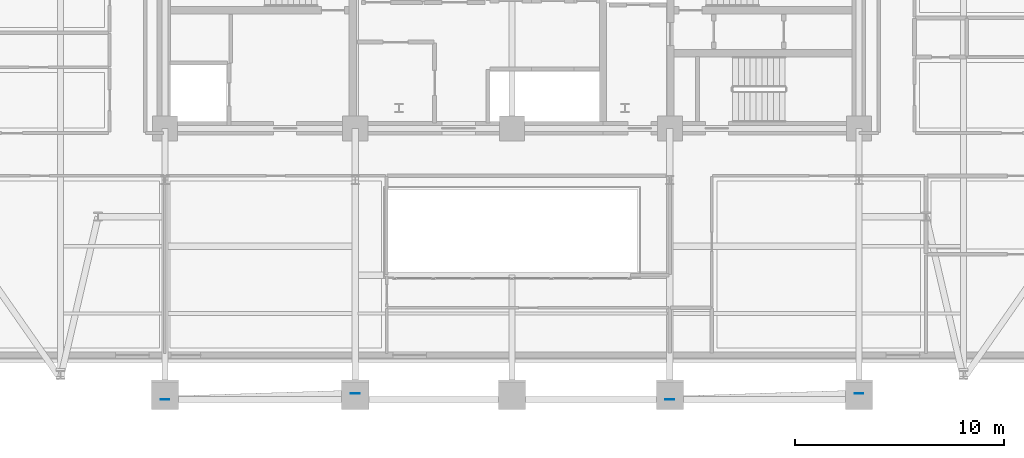
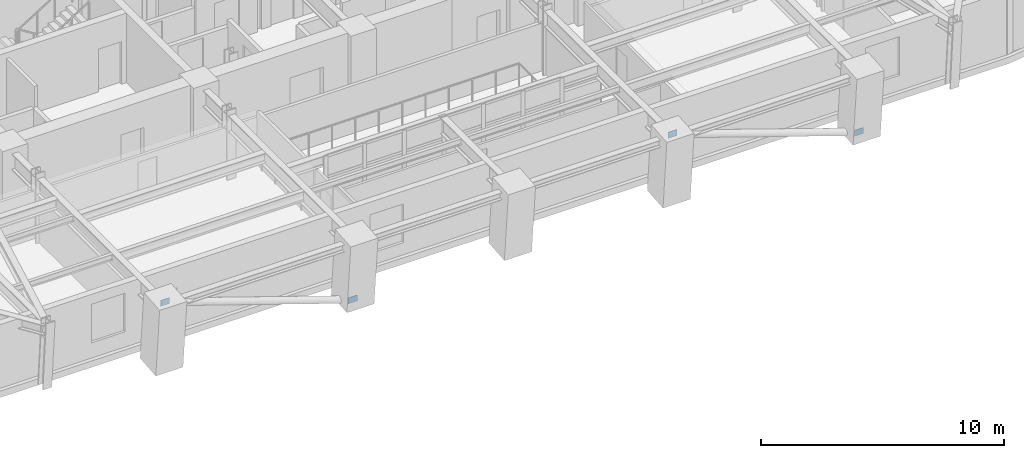
# One storey, part 6 of 14: 4 plates.
"""IFC4 building model written with IfcOpenShell, lengths in metres."""

from ifc_helpers import new_model, si_unit, direction, frame, origin, origin_2d, place, context, subcontext, project, spatial, rectangle, extrude, material, layer, layer_set, type_object, element, save


model = new_model("IFC4")

# Units and contexts
model_context = context("Model", 3, precision=1e-05, world=origin(), true_north=direction((0.0, 1.0)))
body_context = subcontext(model_context, "Body", "Model", "MODEL_VIEW")
ifc_project = project(units=[si_unit("LENGTHUNIT", "METRE"), si_unit("AREAUNIT", "SQUARE_METRE"), si_unit("VOLUMEUNIT", "CUBIC_METRE"), si_unit("PLANEANGLEUNIT", "RADIAN"), si_unit("MASSUNIT", "GRAM", prefix="KILO")], contexts=[model_context])

# Site, building, storey
site_placement = place(None, origin())
site = spatial("IfcSite", under=ifc_project, at=site_placement, CompositionType="ELEMENT")
building_placement = place(site_placement, origin())
building = spatial("IfcBuilding", under=site, at=building_placement, Name="Zarnavel Station Tower", CompositionType="ELEMENT")
storey_placement = place(building_placement, frame((0.0, 0.0, 122.300048828125)))
storey = spatial("IfcBuildingStorey", under=building, at=storey_placement, Name="L33", CompositionType="ELEMENT", Elevation=122.300048828125)

# Plates
ifc_material = material(Name="Steel S460M", Category="steel")
ifc_layer = layer(ifc_material, 0.02490234375)
ifc_layer_set = layer_set([ifc_layer], Name="GP_GUSSET_25")
plate_type = type_object("IfcPlateType", Name="GP_GUSSET_25", PredefinedType="USERDEFINED", material=ifc_layer_set)
for number, where, z_axis, x_axis, name in (
    (1, (21.300048828125, 15.145263671875, -0.14990234375), (0.0, 0.0, 1.0), (1.0, 0.0, 0.0), "L33 Exterior Diagonal Brace End Gusset 1-1"),
    (2, (12.199951171875, 14.8515625, 3.08984375), (0.0, 0.0, 1.0), (1.0, 0.0, 0.0), "L33 Exterior Diagonal Brace End Gusset 1-2"),
    (3, (45.39990234375, 15.145263671875, -0.14990234375), (0.0, 0.0, 1.0), (1.0, 0.0, 0.0), "L33 Exterior Diagonal Brace End Gusset 2-1"),
    (4, (36.35009765625, 14.8515625, 3.08984375), (0.0, 0.0, 1.0), (1.0, 0.0, 0.0), "L33 Exterior Diagonal Brace End Gusset 2-2"),
):
    element("IfcPlate", number, at=place(storey_placement, frame(where, z_axis=z_axis, x_axis=x_axis)), inside=storey, type_object=plate_type, Name=name, ObjectType="GUSSET_PLATE", PredefinedType="USERDEFINED", context=body_context, shape_type="SweptSolid", body=[
        extrude(rectangle(XDim=0.419921875, YDim=0.02490234375, at=origin_2d()), origin(), (0.0, 0.0, 1.0), 0.300048828125),
    ])

save(model, "model.ifc")
